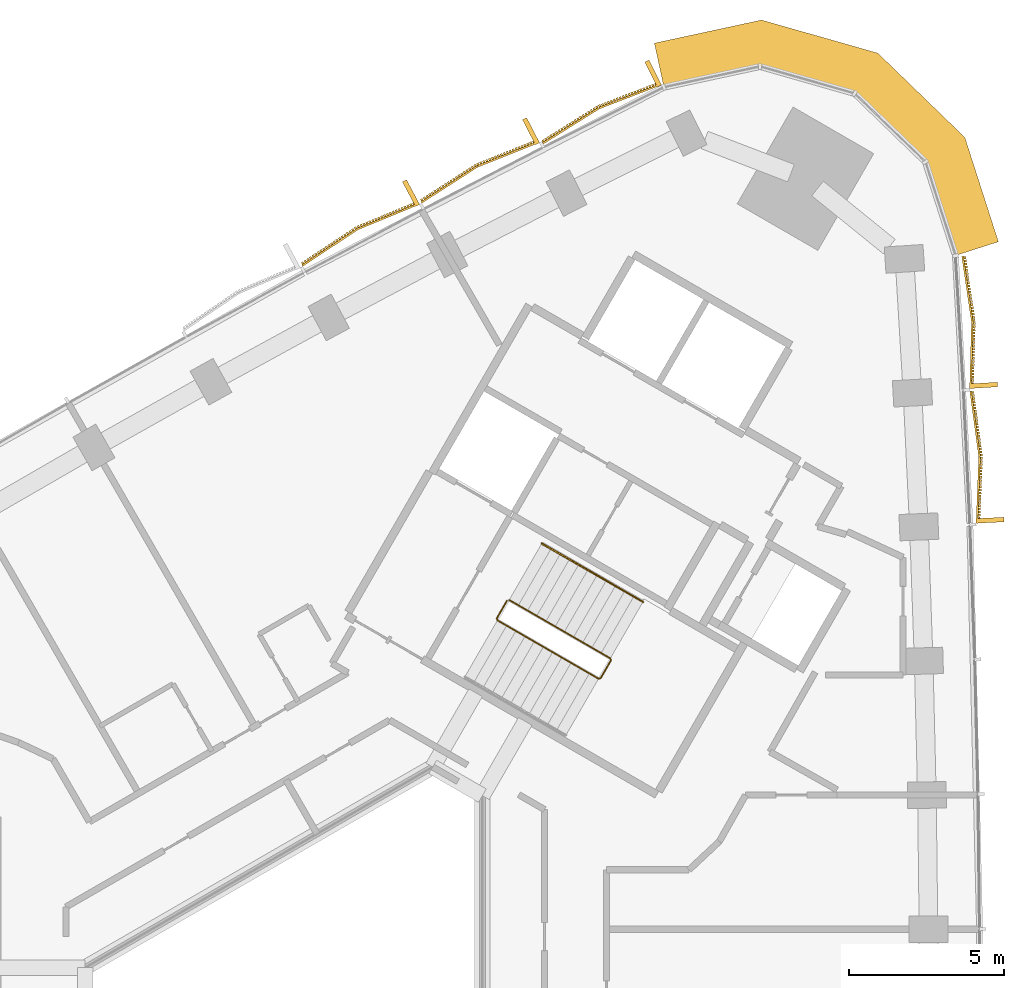
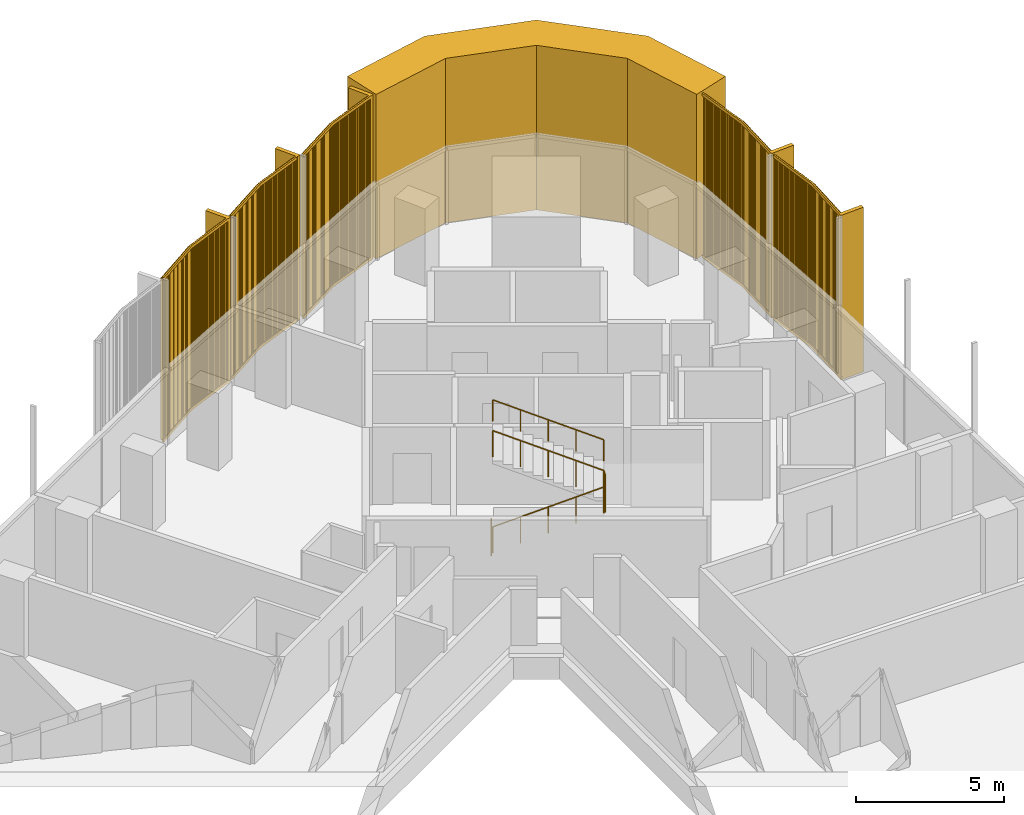
# One storey, part 15 of 15: 6 coverings, 2 railings.
"""IFC4 building model written with IfcOpenShell, lengths in metres."""

from ifc_helpers import new_model, si_unit, direction, frame, frame_2d, origin, origin_2d, place, context, subcontext, project, spatial, polyline, rectangle, circle, outline, extrude, source, transform, mapped, material, layer, layer_set, type_object, element, save


model = new_model("IFC4")

# Units and contexts
model_context = context("Model", 3, precision=1e-05, world=origin(), true_north=direction((0.0, 1.0)))
body_context = subcontext(model_context, "Body", "Model", "MODEL_VIEW")
ifc_project = project(units=[si_unit("LENGTHUNIT", "METRE"), si_unit("AREAUNIT", "SQUARE_METRE"), si_unit("VOLUMEUNIT", "CUBIC_METRE"), si_unit("PLANEANGLEUNIT", "RADIAN"), si_unit("MASSUNIT", "GRAM", prefix="KILO")], contexts=[model_context])

# Site, building, storey
site_placement = place(None, origin())
site = spatial("IfcSite", under=ifc_project, at=site_placement, CompositionType="ELEMENT")
building_placement = place(site_placement, origin())
building = spatial("IfcBuilding", under=site, at=building_placement, Name="Tamra Quay Hotel Tower", CompositionType="ELEMENT")
storey_placement = place(building_placement, frame((0.0, 0.0, 128.800048828125)))
storey = spatial("IfcBuildingStorey", under=building, at=storey_placement, Name="L31", CompositionType="ELEMENT", Elevation=128.800048828125)

# Covering
ifc_material_1 = material(Name="Precast concrete M60 terracotta-coloured", Category="masonry")
ifc_layer = layer(ifc_material_1, 1.449951171875)
ifc_layer_set = layer_set([ifc_layer], Name="CORNER PIER PANEL")
covering_type_1 = type_object("IfcCoveringType", Name="CORNER PIER PANEL", PredefinedType="CLADDING", material=ifc_layer_set)
covering_placement = place(storey_placement, origin())
element("IfcCovering", 1, at=covering_placement, inside=storey, type_object=covering_type_1, Name="Corner pier L31.east", PredefinedType="CLADDING", context=body_context, shape_type="SweptSolid", body=[
    extrude(outline(polyline([(20.0419921875, 23.864990234375), (21.422607421875, 24.30859375), (20.341552734375, 27.6728515625), (17.54150390625, 30.3828125), (13.79443359375, 31.452880859375), (10.340576171875, 30.706787109375), (10.646728515625, 29.28955078125), (13.74560546875, 29.958740234375), (16.794189453125, 29.088134765625), (19.072265625, 26.883544921875), (20.0419921875, 23.864990234375)])), origin(), (0.0, 0.0, 1.0), 6.800048828125),
])

# Railings
ifc_material_2 = material(Name="Stair guard 1100")
railing_type_1 = type_object("IfcRailingType", Name="Stair guard 1100", PredefinedType="GUARDRAIL", material=ifc_material_2)
railing_1_placement = place(storey_placement, frame((5.595458984375, 12.751953125, 0.0)))
element("IfcRailing", 2, at=railing_1_placement, inside=storey, type_object=railing_type_1, Name="GR", PredefinedType="GUARDRAIL", context=body_context, shape_type="SweptSolid", body=[
    extrude(circle(Radius=0.02392578125, at=origin_2d()), frame((0.0, 0.0, 1.076171875), z_axis=(-0.499765215335, -0.866160914346, 0.0), x_axis=(0.866160914346, -0.499765215335, 0.0)), (0.0, 0.0, 1.0), 0.658935546875),
    extrude(circle(Radius=0.02392578125, at=origin_2d()), frame((-0.329345703125, -0.57080078125, 1.076171875), z_axis=(0.110525977783, -0.411156637351, 0.904839338113), x_axis=(0.965715946433, 0.259601060869, 0.0)), (0.0, 0.0, 1.0), 0.165771484375),
    extrude(circle(Radius=0.02392578125, at=origin_2d()), frame((-0.31103515625, -0.638916015625, 1.22607421875), z_axis=(0.79305953016, -0.457922937641, 0.401700342053), x_axis=(0.500040788363, 0.866001853331, 0.0)), (0.0, 0.0, 1.0), 4.10791015625),
    extrude(circle(Radius=0.02392578125, at=origin_2d()), frame((2.94677734375, -2.52001953125, 2.8759765625), z_axis=(0.965948051503, 0.258736085224, 0.0), x_axis=(-0.258736085224, 0.965948051503, 0.0)), (0.0, 0.0, 1.0), 0.07080078125),
    extrude(circle(Radius=0.02392578125, at=origin_2d()), frame((3.01513671875, -2.501708984375, 2.8759765625), z_axis=(0.500043078269, 0.866000531106, 0.0), x_axis=(-0.866000531106, 0.500043078269, 0.0)), (0.0, 0.0, 1.0), 0.6591796875),
    extrude(circle(Radius=0.02392578125, at=origin_2d()), frame((3.3447265625, -1.930908203125, 2.8759765625), z_axis=(-0.110525977783, 0.411156637351, 0.904839338113), x_axis=(-0.965715946433, -0.259601060869, 0.0)), (0.0, 0.0, 1.0), 0.165771484375),
    extrude(circle(Radius=0.02392578125, at=origin_2d()), frame((3.326416015625, -1.86279296875, 3.02587890625), z_axis=(-0.793100512587, 0.457912285461, 0.401631567183), x_axis=(-0.500012686397, -0.866018079166, 0.0)), (0.0, 0.0, 1.0), 4.10791015625),
    extrude(circle(Radius=0.02099609375, at=origin_2d()), origin(), (0.0, 0.0, 1.0), 1.052001953125),
    extrude(circle(Radius=0.02099609375, at=origin_2d()), frame((-0.329345703125, -0.57080078125, 0.0)), (0.0, 0.0, 1.0), 1.052001953125),
    extrude(circle(Radius=0.02099609375, at=origin_2d()), frame((-0.31103515625, -0.638916015625, 0.14990234375)), (0.0, 0.0, 1.0), 1.052001953125),
    extrude(circle(Radius=0.02099609375, at=origin_2d()), frame((0.50341796875, -1.109130859375, 0.5625)), (0.0, 0.0, 1.0), 1.052001953125),
    extrude(circle(Radius=0.02099609375, at=origin_2d()), frame((1.31787109375, -1.57958984375, 0.97509765625)), (0.0, 0.0, 1.0), 1.052001953125),
    extrude(circle(Radius=0.02099609375, at=origin_2d()), frame((2.13232421875, -2.0498046875, 1.387451171875)), (0.0, 0.0, 1.0), 1.052001953125),
    extrude(circle(Radius=0.02099609375, at=origin_2d()), frame((2.94677734375, -2.52001953125, 1.800048828125)), (0.0, 0.0, 1.0), 1.052001953125),
    extrude(circle(Radius=0.02099609375, at=origin_2d()), frame((3.01513671875, -2.501708984375, 1.800048828125)), (0.0, 0.0, 1.0), 1.052001953125),
    extrude(circle(Radius=0.02099609375, at=origin_2d()), frame((3.3447265625, -1.930908203125, 1.800048828125)), (0.0, 0.0, 1.0), 1.052001953125),
    extrude(circle(Radius=0.02099609375, at=origin_2d()), frame((3.326416015625, -1.86279296875, 1.949951171875)), (0.0, 0.0, 1.0), 1.052001953125),
    extrude(circle(Radius=0.02099609375, at=origin_2d()), frame((2.511962890625, -1.392578125, 2.3623046875)), (0.0, 0.0, 1.0), 1.052001953125),
    extrude(circle(Radius=0.02099609375, at=origin_2d()), frame((1.697265625, -0.92236328125, 2.77490234375)), (0.0, 0.0, 1.0), 1.052001953125),
    extrude(circle(Radius=0.02099609375, at=origin_2d()), frame((0.8828125, -0.451904296875, 3.1875)), (0.0, 0.0, 1.0), 1.052001953125),
    extrude(circle(Radius=0.02099609375, at=origin_2d()), frame((0.068359375, 0.018310546875, 3.599853515625)), (0.0, 0.0, 1.0), 1.052001953125),
])
ifc_material_3 = material(Name="Stair handrail 900")
railing_type_2 = type_object("IfcRailingType", Name="Stair handrail 900", PredefinedType="HANDRAIL", material=ifc_material_3)
railing_2_placement = place(storey_placement, frame((9.971923828125, 12.7080078125, 1.949951171875)))
element("IfcRailing", 3, at=railing_2_placement, inside=storey, type_object=railing_type_2, Name="HR", PredefinedType="HANDRAIL", context=body_context, shape_type="SweptSolid", body=[
    extrude(circle(Radius=0.02392578125, at=origin_2d()), frame((0.0, 0.0, 0.8759765625), z_axis=(-0.793122095483, 0.45786531462, 0.401642496911), x_axis=(-0.499964013922, -0.86604617936, 0.0)), (0.0, 0.0, 1.0), 4.10791015625),
    extrude(circle(Radius=0.02099609375, at=origin_2d()), origin(), (0.0, 0.0, 1.0), 0.851806640625),
    extrude(circle(Radius=0.02099609375, at=origin_2d()), frame((-0.814453125, 0.47021484375, 0.41259765625)), (0.0, 0.0, 1.0), 0.851806640625),
    extrude(circle(Radius=0.02099609375, at=origin_2d()), frame((-1.62890625, 0.9404296875, 0.824951171875)), (0.0, 0.0, 1.0), 0.851806640625),
    extrude(circle(Radius=0.02099609375, at=origin_2d()), frame((-2.443603515625, 1.41064453125, 1.2373046875)), (0.0, 0.0, 1.0), 0.851806640625),
    extrude(circle(Radius=0.02099609375, at=origin_2d()), frame((-3.258056640625, 1.880859375, 1.64990234375)), (0.0, 0.0, 1.0), 0.851806640625),
])

# Coverings
ifc_material_4 = material(Name="Terracotta baguette extruded", Category="masonry")
covering_type_2 = type_object("IfcCoveringType", Name="BAGUETTE SCREEN E-V H6800", PredefinedType="USERDEFINED", material=ifc_material_4)
shared_shape_1 = source(origin(), body_context, "Body", "SweptSolid", [
    extrude(rectangle(XDim=2.140625, YDim=0.06005859375, at=frame_2d((1.0703125, 0.030029296875))), frame((-2.1376953125, -0.057861328125, -0.1201171875), z_axis=(0.0, 0.0, 1.0), x_axis=(0.996194698092, -0.087155742748, 0.0)), (0.0, 0.0, 1.0), 0.1201171875),
    extrude(rectangle(XDim=2.140625, YDim=0.06005859375, at=frame_2d((1.0703125, 0.030029296875))), frame((-2.1376953125, -0.057861328125, -6.800048828125), z_axis=(0.0, 0.0, 1.0), x_axis=(0.996194698092, -0.087155742748, 0.0)), (0.0, 0.0, 1.0), 0.1201171875),
    extrude(rectangle(XDim=0.070068359375, YDim=0.10009765625, at=frame_2d((0.03515625, 0.050048828125))), frame((-2.11669921875, -0.13232421875, -6.739990234375)), (0.0, 0.0, 1.0), 6.679931640625),
    extrude(rectangle(XDim=0.070068359375, YDim=0.10009765625, at=frame_2d((0.03515625, 0.050048828125))), frame((-2.01513671875, -0.141357421875, -6.739990234375)), (0.0, 0.0, 1.0), 6.679931640625),
    extrude(rectangle(XDim=0.070068359375, YDim=0.10009765625, at=frame_2d((0.03515625, 0.050048828125))), frame((-1.91357421875, -0.150146484375, -6.739990234375)), (0.0, 0.0, 1.0), 6.679931640625),
    extrude(rectangle(XDim=0.070068359375, YDim=0.10009765625, at=frame_2d((0.03515625, 0.050048828125))), frame((-1.81201171875, -0.1591796875, -6.739990234375)), (0.0, 0.0, 1.0), 6.679931640625),
    extrude(rectangle(XDim=0.070068359375, YDim=0.10009765625, at=frame_2d((0.03515625, 0.050048828125))), frame((-1.71044921875, -0.16796875, -6.739990234375)), (0.0, 0.0, 1.0), 6.679931640625),
    extrude(rectangle(XDim=0.070068359375, YDim=0.10009765625, at=frame_2d((0.03515625, 0.050048828125))), frame((-1.60888671875, -0.1767578125, -6.739990234375)), (0.0, 0.0, 1.0), 6.679931640625),
    extrude(rectangle(XDim=0.070068359375, YDim=0.10009765625, at=frame_2d((0.03515625, 0.050048828125))), frame((-1.50732421875, -0.185791015625, -6.739990234375)), (0.0, 0.0, 1.0), 6.679931640625),
    extrude(rectangle(XDim=0.070068359375, YDim=0.10009765625, at=frame_2d((0.03515625, 0.050048828125))), frame((-1.406005859375, -0.194580078125, -6.739990234375)), (0.0, 0.0, 1.0), 6.679931640625),
    extrude(rectangle(XDim=0.070068359375, YDim=0.10009765625, at=frame_2d((0.03515625, 0.050048828125))), frame((-1.304443359375, -0.20361328125, -6.739990234375)), (0.0, 0.0, 1.0), 6.679931640625),
    extrude(rectangle(XDim=0.070068359375, YDim=0.10009765625, at=frame_2d((0.03515625, 0.050048828125))), frame((-1.202880859375, -0.21240234375, -6.739990234375)), (0.0, 0.0, 1.0), 6.679931640625),
    extrude(rectangle(XDim=0.070068359375, YDim=0.10009765625, at=frame_2d((0.03515625, 0.050048828125))), frame((-1.101318359375, -0.22119140625, -6.739990234375)), (0.0, 0.0, 1.0), 6.679931640625),
    extrude(rectangle(XDim=0.070068359375, YDim=0.10009765625, at=frame_2d((0.03515625, 0.050048828125))), frame((-0.999755859375, -0.230224609375, -6.739990234375)), (0.0, 0.0, 1.0), 6.679931640625),
    extrude(rectangle(XDim=0.070068359375, YDim=0.10009765625, at=frame_2d((0.03515625, 0.050048828125))), frame((-0.898193359375, -0.239013671875, -6.739990234375)), (0.0, 0.0, 1.0), 6.679931640625),
    extrude(rectangle(XDim=0.070068359375, YDim=0.10009765625, at=frame_2d((0.03515625, 0.050048828125))), frame((-0.796630859375, -0.248046875, -6.739990234375)), (0.0, 0.0, 1.0), 6.679931640625),
    extrude(rectangle(XDim=0.070068359375, YDim=0.10009765625, at=frame_2d((0.03515625, 0.050048828125))), frame((-0.695068359375, -0.2568359375, -6.739990234375)), (0.0, 0.0, 1.0), 6.679931640625),
    extrude(rectangle(XDim=0.070068359375, YDim=0.10009765625, at=frame_2d((0.03515625, 0.050048828125))), frame((-0.593505859375, -0.265625, -6.739990234375)), (0.0, 0.0, 1.0), 6.679931640625),
    extrude(rectangle(XDim=0.070068359375, YDim=0.10009765625, at=frame_2d((0.03515625, 0.050048828125))), frame((-0.491943359375, -0.274658203125, -6.739990234375)), (0.0, 0.0, 1.0), 6.679931640625),
    extrude(rectangle(XDim=0.070068359375, YDim=0.10009765625, at=frame_2d((0.03515625, 0.050048828125))), frame((-0.390380859375, -0.283447265625, -6.739990234375)), (0.0, 0.0, 1.0), 6.679931640625),
    extrude(rectangle(XDim=0.070068359375, YDim=0.10009765625, at=frame_2d((0.03515625, 0.050048828125))), frame((-0.288818359375, -0.29248046875, -6.739990234375)), (0.0, 0.0, 1.0), 6.679931640625),
    extrude(rectangle(XDim=0.070068359375, YDim=0.10009765625, at=frame_2d((0.03515625, 0.050048828125))), frame((-0.187255859375, -0.30126953125, -6.739990234375)), (0.0, 0.0, 1.0), 6.679931640625),
    extrude(rectangle(XDim=0.070068359375, YDim=0.10009765625, at=frame_2d((0.03515625, 0.050048828125))), frame((-0.085693359375, -0.31005859375, -6.739990234375)), (0.0, 0.0, 1.0), 6.679931640625),
    extrude(rectangle(XDim=2.140625, YDim=0.06005859375, at=frame_2d((1.0703125, 0.030029296875))), frame((0.005126953125, -0.244384765625, -0.1201171875), z_axis=(0.0, 0.0, 1.0), x_axis=(0.996194698092, 0.087155742748, 0.0)), (0.0, 0.0, 1.0), 0.1201171875),
    extrude(rectangle(XDim=2.140625, YDim=0.06005859375, at=frame_2d((1.0703125, 0.030029296875))), frame((0.005126953125, -0.244384765625, -6.800048828125), z_axis=(0.0, 0.0, 1.0), x_axis=(0.996194698092, 0.087155742748, 0.0)), (0.0, 0.0, 1.0), 0.1201171875),
    extrude(rectangle(XDim=0.070068359375, YDim=0.10009765625, at=frame_2d((0.03515625, 0.050048828125))), frame((0.015869140625, -0.31005859375, -6.739990234375)), (0.0, 0.0, 1.0), 6.679931640625),
    extrude(rectangle(XDim=0.070068359375, YDim=0.10009765625, at=frame_2d((0.03515625, 0.050048828125))), frame((0.117431640625, -0.30126953125, -6.739990234375)), (0.0, 0.0, 1.0), 6.679931640625),
    extrude(rectangle(XDim=0.070068359375, YDim=0.10009765625, at=frame_2d((0.03515625, 0.050048828125))), frame((0.21875, -0.29248046875, -6.739990234375)), (0.0, 0.0, 1.0), 6.679931640625),
    extrude(rectangle(XDim=0.070068359375, YDim=0.10009765625, at=frame_2d((0.03515625, 0.050048828125))), frame((0.3203125, -0.283447265625, -6.739990234375)), (0.0, 0.0, 1.0), 6.679931640625),
    extrude(rectangle(XDim=0.070068359375, YDim=0.10009765625, at=frame_2d((0.03515625, 0.050048828125))), frame((0.421875, -0.274658203125, -6.739990234375)), (0.0, 0.0, 1.0), 6.679931640625),
    extrude(rectangle(XDim=0.070068359375, YDim=0.10009765625, at=frame_2d((0.03515625, 0.050048828125))), frame((0.5234375, -0.265625, -6.739990234375)), (0.0, 0.0, 1.0), 6.679931640625),
    extrude(rectangle(XDim=0.070068359375, YDim=0.10009765625, at=frame_2d((0.03515625, 0.050048828125))), frame((0.625, -0.2568359375, -6.739990234375)), (0.0, 0.0, 1.0), 6.679931640625),
    extrude(rectangle(XDim=0.070068359375, YDim=0.10009765625, at=frame_2d((0.03515625, 0.050048828125))), frame((0.7265625, -0.248046875, -6.739990234375)), (0.0, 0.0, 1.0), 6.679931640625),
    extrude(rectangle(XDim=0.070068359375, YDim=0.10009765625, at=frame_2d((0.03515625, 0.050048828125))), frame((0.828125, -0.239013671875, -6.739990234375)), (0.0, 0.0, 1.0), 6.679931640625),
    extrude(rectangle(XDim=0.070068359375, YDim=0.10009765625, at=frame_2d((0.03515625, 0.050048828125))), frame((0.9296875, -0.230224609375, -6.739990234375)), (0.0, 0.0, 1.0), 6.679931640625),
    extrude(rectangle(XDim=0.070068359375, YDim=0.10009765625, at=frame_2d((0.03515625, 0.050048828125))), frame((1.03125, -0.22119140625, -6.739990234375)), (0.0, 0.0, 1.0), 6.679931640625),
    extrude(rectangle(XDim=0.070068359375, YDim=0.10009765625, at=frame_2d((0.03515625, 0.050048828125))), frame((1.1328125, -0.21240234375, -6.739990234375)), (0.0, 0.0, 1.0), 6.679931640625),
    extrude(rectangle(XDim=0.070068359375, YDim=0.10009765625, at=frame_2d((0.03515625, 0.050048828125))), frame((1.234375, -0.20361328125, -6.739990234375)), (0.0, 0.0, 1.0), 6.679931640625),
    extrude(rectangle(XDim=0.070068359375, YDim=0.10009765625, at=frame_2d((0.03515625, 0.050048828125))), frame((1.3359375, -0.194580078125, -6.739990234375)), (0.0, 0.0, 1.0), 6.679931640625),
    extrude(rectangle(XDim=0.070068359375, YDim=0.10009765625, at=frame_2d((0.03515625, 0.050048828125))), frame((1.4375, -0.185791015625, -6.739990234375)), (0.0, 0.0, 1.0), 6.679931640625),
    extrude(rectangle(XDim=0.070068359375, YDim=0.10009765625, at=frame_2d((0.03515625, 0.050048828125))), frame((1.5390625, -0.1767578125, -6.739990234375)), (0.0, 0.0, 1.0), 6.679931640625),
    extrude(rectangle(XDim=0.070068359375, YDim=0.10009765625, at=frame_2d((0.03515625, 0.050048828125))), frame((1.640625, -0.16796875, -6.739990234375)), (0.0, 0.0, 1.0), 6.679931640625),
    extrude(rectangle(XDim=0.070068359375, YDim=0.10009765625, at=frame_2d((0.03515625, 0.050048828125))), frame((1.7421875, -0.1591796875, -6.739990234375)), (0.0, 0.0, 1.0), 6.679931640625),
    extrude(rectangle(XDim=0.070068359375, YDim=0.10009765625, at=frame_2d((0.03515625, 0.050048828125))), frame((1.84375, -0.150146484375, -6.739990234375)), (0.0, 0.0, 1.0), 6.679931640625),
    extrude(rectangle(XDim=0.070068359375, YDim=0.10009765625, at=frame_2d((0.03515625, 0.050048828125))), frame((1.945068359375, -0.141357421875, -6.739990234375)), (0.0, 0.0, 1.0), 6.679931640625),
    extrude(rectangle(XDim=0.070068359375, YDim=0.10009765625, at=frame_2d((0.03515625, 0.050048828125))), frame((2.046630859375, -0.13232421875, -6.739990234375)), (0.0, 0.0, 1.0), 6.679931640625),
    extrude(rectangle(XDim=0.14990234375, YDim=0.902099609375, at=frame_2d((0.074951171875, 0.451171875))), frame((-2.132568359375, -0.89990234375, -6.800048828125)), (0.0, 0.0, 1.0), 6.800048828125),
])
for number, where, z_axis, x_axis, name in (
    (4, (20.6025390625, 17.371826171875, 6.800048828125), (0.0, 0.0, 1.0), (-0.04774710654, 0.998859456489, 0.0), "Baguette screen L31.E.f09"),
    (5, (20.369384765625, 21.709716796875, 6.800048828125), (0.0, 0.0, 1.0), (-0.05964191564, 0.998219836458, 0.0), "Baguette screen L31.E.f10"),
):
    element("IfcCovering", number, at=place(storey_placement, frame(where, z_axis=z_axis, x_axis=x_axis)), inside=storey, type_object=covering_type_2, Name=name, ObjectType="BAGUETTE SCREEN", PredefinedType="USERDEFINED", context=body_context, shape_type="MappedRepresentation", body=[
        mapped(shared_shape_1, transform((0.0, 0.0, 0.0), scale=1.0)),
    ])
covering_type_3 = type_object("IfcCoveringType", Name="BAGUETTE SCREEN NW-V H6800", PredefinedType="USERDEFINED", material=ifc_material_4)
shared_shape_2 = source(origin(), body_context, "Body", "SweptSolid", [
    extrude(rectangle(XDim=2.142333984375, YDim=0.06005859375, at=frame_2d((1.0712890625, 0.030029296875))), frame((-2.13818359375, -0.0576171875, -0.1201171875), z_axis=(0.0, 0.0, 1.0), x_axis=(0.995396198367, -0.09584575252, 0.0)), (0.0, 0.0, 1.0), 0.1201171875),
    extrude(rectangle(XDim=2.142333984375, YDim=0.06005859375, at=frame_2d((1.0712890625, 0.030029296875))), frame((-2.13818359375, -0.0576171875, -6.800048828125), z_axis=(0.0, 0.0, 1.0), x_axis=(0.995396198367, -0.09584575252, 0.0)), (0.0, 0.0, 1.0), 0.1201171875),
    extrude(rectangle(XDim=0.070068359375, YDim=0.10009765625, at=frame_2d((0.03515625, 0.050048828125))), frame((-2.11669921875, -0.1328125, -6.739990234375)), (0.0, 0.0, 1.0), 6.679931640625),
    extrude(rectangle(XDim=0.070068359375, YDim=0.10009765625, at=frame_2d((0.03515625, 0.050048828125))), frame((-2.01513671875, -0.142578125, -6.739990234375)), (0.0, 0.0, 1.0), 6.679931640625),
    extrude(rectangle(XDim=0.070068359375, YDim=0.10009765625, at=frame_2d((0.03515625, 0.050048828125))), frame((-1.91357421875, -0.15234375, -6.739990234375)), (0.0, 0.0, 1.0), 6.679931640625),
    extrude(rectangle(XDim=0.070068359375, YDim=0.10009765625, at=frame_2d((0.03515625, 0.050048828125))), frame((-1.81201171875, -0.162109375, -6.739990234375)), (0.0, 0.0, 1.0), 6.679931640625),
    extrude(rectangle(XDim=0.070068359375, YDim=0.10009765625, at=frame_2d((0.03515625, 0.050048828125))), frame((-1.71044921875, -0.172119140625, -6.739990234375)), (0.0, 0.0, 1.0), 6.679931640625),
    extrude(rectangle(XDim=0.070068359375, YDim=0.10009765625, at=frame_2d((0.03515625, 0.050048828125))), frame((-1.60888671875, -0.181884765625, -6.739990234375)), (0.0, 0.0, 1.0), 6.679931640625),
    extrude(rectangle(XDim=0.070068359375, YDim=0.10009765625, at=frame_2d((0.03515625, 0.050048828125))), frame((-1.50732421875, -0.191650390625, -6.739990234375)), (0.0, 0.0, 1.0), 6.679931640625),
    extrude(rectangle(XDim=0.070068359375, YDim=0.10009765625, at=frame_2d((0.03515625, 0.050048828125))), frame((-1.406005859375, -0.201416015625, -6.739990234375)), (0.0, 0.0, 1.0), 6.679931640625),
    extrude(rectangle(XDim=0.070068359375, YDim=0.10009765625, at=frame_2d((0.03515625, 0.050048828125))), frame((-1.304443359375, -0.211181640625, -6.739990234375)), (0.0, 0.0, 1.0), 6.679931640625),
    extrude(rectangle(XDim=0.070068359375, YDim=0.10009765625, at=frame_2d((0.03515625, 0.050048828125))), frame((-1.202880859375, -0.220947265625, -6.739990234375)), (0.0, 0.0, 1.0), 6.679931640625),
    extrude(rectangle(XDim=0.070068359375, YDim=0.10009765625, at=frame_2d((0.03515625, 0.050048828125))), frame((-1.101318359375, -0.230712890625, -6.739990234375)), (0.0, 0.0, 1.0), 6.679931640625),
    extrude(rectangle(XDim=0.070068359375, YDim=0.10009765625, at=frame_2d((0.03515625, 0.050048828125))), frame((-0.999755859375, -0.240478515625, -6.739990234375)), (0.0, 0.0, 1.0), 6.679931640625),
    extrude(rectangle(XDim=0.070068359375, YDim=0.10009765625, at=frame_2d((0.03515625, 0.050048828125))), frame((-0.898193359375, -0.250244140625, -6.739990234375)), (0.0, 0.0, 1.0), 6.679931640625),
    extrude(rectangle(XDim=0.070068359375, YDim=0.10009765625, at=frame_2d((0.03515625, 0.050048828125))), frame((-0.796630859375, -0.260009765625, -6.739990234375)), (0.0, 0.0, 1.0), 6.679931640625),
    extrude(rectangle(XDim=0.070068359375, YDim=0.10009765625, at=frame_2d((0.03515625, 0.050048828125))), frame((-0.695068359375, -0.269775390625, -6.739990234375)), (0.0, 0.0, 1.0), 6.679931640625),
    extrude(rectangle(XDim=0.070068359375, YDim=0.10009765625, at=frame_2d((0.03515625, 0.050048828125))), frame((-0.593505859375, -0.279541015625, -6.739990234375)), (0.0, 0.0, 1.0), 6.679931640625),
    extrude(rectangle(XDim=0.070068359375, YDim=0.10009765625, at=frame_2d((0.03515625, 0.050048828125))), frame((-0.491943359375, -0.289306640625, -6.739990234375)), (0.0, 0.0, 1.0), 6.679931640625),
    extrude(rectangle(XDim=0.070068359375, YDim=0.10009765625, at=frame_2d((0.03515625, 0.050048828125))), frame((-0.390380859375, -0.299072265625, -6.739990234375)), (0.0, 0.0, 1.0), 6.679931640625),
    extrude(rectangle(XDim=0.070068359375, YDim=0.10009765625, at=frame_2d((0.03515625, 0.050048828125))), frame((-0.288818359375, -0.308837890625, -6.739990234375)), (0.0, 0.0, 1.0), 6.679931640625),
    extrude(rectangle(XDim=0.070068359375, YDim=0.10009765625, at=frame_2d((0.03515625, 0.050048828125))), frame((-0.187255859375, -0.318603515625, -6.739990234375)), (0.0, 0.0, 1.0), 6.679931640625),
    extrude(rectangle(XDim=0.070068359375, YDim=0.10009765625, at=frame_2d((0.03515625, 0.050048828125))), frame((-0.085693359375, -0.328369140625, -6.739990234375)), (0.0, 0.0, 1.0), 6.679931640625),
    extrude(rectangle(XDim=2.142333984375, YDim=0.06005859375, at=frame_2d((1.0712890625, 0.030029296875))), frame((0.005859375, -0.262939453125, -0.1201171875), z_axis=(0.0, 0.0, 1.0), x_axis=(0.995396198367, 0.09584575252, 0.0)), (0.0, 0.0, 1.0), 0.1201171875),
    extrude(rectangle(XDim=2.142333984375, YDim=0.06005859375, at=frame_2d((1.0712890625, 0.030029296875))), frame((0.005859375, -0.262939453125, -6.800048828125), z_axis=(0.0, 0.0, 1.0), x_axis=(0.995396198367, 0.09584575252, 0.0)), (0.0, 0.0, 1.0), 0.1201171875),
    extrude(rectangle(XDim=0.070068359375, YDim=0.10009765625, at=frame_2d((0.03515625, 0.050048828125))), frame((0.015869140625, -0.328369140625, -6.739990234375)), (0.0, 0.0, 1.0), 6.679931640625),
    extrude(rectangle(XDim=0.070068359375, YDim=0.10009765625, at=frame_2d((0.03515625, 0.050048828125))), frame((0.117431640625, -0.318603515625, -6.739990234375)), (0.0, 0.0, 1.0), 6.679931640625),
    extrude(rectangle(XDim=0.070068359375, YDim=0.10009765625, at=frame_2d((0.03515625, 0.050048828125))), frame((0.21875, -0.308837890625, -6.739990234375)), (0.0, 0.0, 1.0), 6.679931640625),
    extrude(rectangle(XDim=0.070068359375, YDim=0.10009765625, at=frame_2d((0.03515625, 0.050048828125))), frame((0.3203125, -0.299072265625, -6.739990234375)), (0.0, 0.0, 1.0), 6.679931640625),
    extrude(rectangle(XDim=0.070068359375, YDim=0.10009765625, at=frame_2d((0.03515625, 0.050048828125))), frame((0.421875, -0.289306640625, -6.739990234375)), (0.0, 0.0, 1.0), 6.679931640625),
    extrude(rectangle(XDim=0.070068359375, YDim=0.10009765625, at=frame_2d((0.03515625, 0.050048828125))), frame((0.5234375, -0.279541015625, -6.739990234375)), (0.0, 0.0, 1.0), 6.679931640625),
    extrude(rectangle(XDim=0.070068359375, YDim=0.10009765625, at=frame_2d((0.03515625, 0.050048828125))), frame((0.625, -0.269775390625, -6.739990234375)), (0.0, 0.0, 1.0), 6.679931640625),
    extrude(rectangle(XDim=0.070068359375, YDim=0.10009765625, at=frame_2d((0.03515625, 0.050048828125))), frame((0.7265625, -0.260009765625, -6.739990234375)), (0.0, 0.0, 1.0), 6.679931640625),
    extrude(rectangle(XDim=0.070068359375, YDim=0.10009765625, at=frame_2d((0.03515625, 0.050048828125))), frame((0.828125, -0.250244140625, -6.739990234375)), (0.0, 0.0, 1.0), 6.679931640625),
    extrude(rectangle(XDim=0.070068359375, YDim=0.10009765625, at=frame_2d((0.03515625, 0.050048828125))), frame((0.9296875, -0.240478515625, -6.739990234375)), (0.0, 0.0, 1.0), 6.679931640625),
    extrude(rectangle(XDim=0.070068359375, YDim=0.10009765625, at=frame_2d((0.03515625, 0.050048828125))), frame((1.03125, -0.230712890625, -6.739990234375)), (0.0, 0.0, 1.0), 6.679931640625),
    extrude(rectangle(XDim=0.070068359375, YDim=0.10009765625, at=frame_2d((0.03515625, 0.050048828125))), frame((1.1328125, -0.220947265625, -6.739990234375)), (0.0, 0.0, 1.0), 6.679931640625),
    extrude(rectangle(XDim=0.070068359375, YDim=0.10009765625, at=frame_2d((0.03515625, 0.050048828125))), frame((1.234375, -0.211181640625, -6.739990234375)), (0.0, 0.0, 1.0), 6.679931640625),
    extrude(rectangle(XDim=0.070068359375, YDim=0.10009765625, at=frame_2d((0.03515625, 0.050048828125))), frame((1.3359375, -0.201416015625, -6.739990234375)), (0.0, 0.0, 1.0), 6.679931640625),
    extrude(rectangle(XDim=0.070068359375, YDim=0.10009765625, at=frame_2d((0.03515625, 0.050048828125))), frame((1.4375, -0.191650390625, -6.739990234375)), (0.0, 0.0, 1.0), 6.679931640625),
    extrude(rectangle(XDim=0.070068359375, YDim=0.10009765625, at=frame_2d((0.03515625, 0.050048828125))), frame((1.5390625, -0.181884765625, -6.739990234375)), (0.0, 0.0, 1.0), 6.679931640625),
    extrude(rectangle(XDim=0.070068359375, YDim=0.10009765625, at=frame_2d((0.03515625, 0.050048828125))), frame((1.640625, -0.172119140625, -6.739990234375)), (0.0, 0.0, 1.0), 6.679931640625),
    extrude(rectangle(XDim=0.070068359375, YDim=0.10009765625, at=frame_2d((0.03515625, 0.050048828125))), frame((1.7421875, -0.162109375, -6.739990234375)), (0.0, 0.0, 1.0), 6.679931640625),
    extrude(rectangle(XDim=0.070068359375, YDim=0.10009765625, at=frame_2d((0.03515625, 0.050048828125))), frame((1.84375, -0.15234375, -6.739990234375)), (0.0, 0.0, 1.0), 6.679931640625),
    extrude(rectangle(XDim=0.070068359375, YDim=0.10009765625, at=frame_2d((0.03515625, 0.050048828125))), frame((1.945068359375, -0.142578125, -6.739990234375)), (0.0, 0.0, 1.0), 6.679931640625),
    extrude(rectangle(XDim=0.070068359375, YDim=0.10009765625, at=frame_2d((0.03515625, 0.050048828125))), frame((2.046630859375, -0.1328125, -6.739990234375)), (0.0, 0.0, 1.0), 6.679931640625),
    extrude(rectangle(XDim=0.14990234375, YDim=0.902099609375, at=frame_2d((0.074951171875, 0.451171875))), frame((-2.132568359375, -0.89990234375, -6.800048828125)), (0.0, 0.0, 1.0), 6.800048828125),
])
for number, where, z_axis, x_axis, name in (
    (6, (8.661376953125, 28.40576171875, 6.800048828125), (0.0, 0.0, 1.0), (-0.894304694754, -0.447458504155, 0.0), "Baguette screen L31.NW.f00"),
    (7, (4.7431640625, 26.528076171875, 6.800048828125), (0.0, 0.0, 1.0), (-0.8889112174, -0.458079521023, 0.0), "Baguette screen L31.NW.f01"),
    (8, (0.893310546875, 24.51513671875, 6.800048828125), (0.0, 0.0, 1.0), (-0.883391332741, -0.468636056272, 0.0), "Baguette screen L31.NW.f02"),
):
    element("IfcCovering", number, at=place(storey_placement, frame(where, z_axis=z_axis, x_axis=x_axis)), inside=storey, type_object=covering_type_3, Name=name, ObjectType="BAGUETTE SCREEN", PredefinedType="USERDEFINED", context=body_context, shape_type="MappedRepresentation", body=[
        mapped(shared_shape_2, transform((0.0, 0.0, 0.0), scale=1.0)),
    ])

save(model, "model.ifc")
